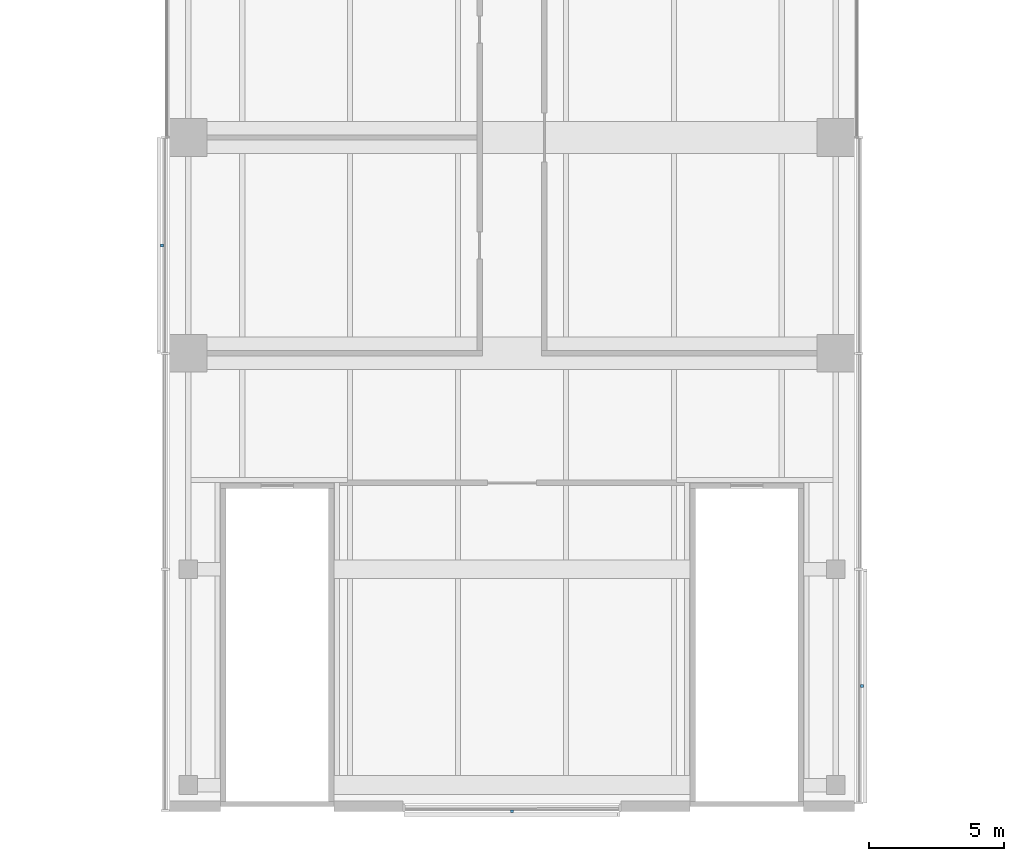
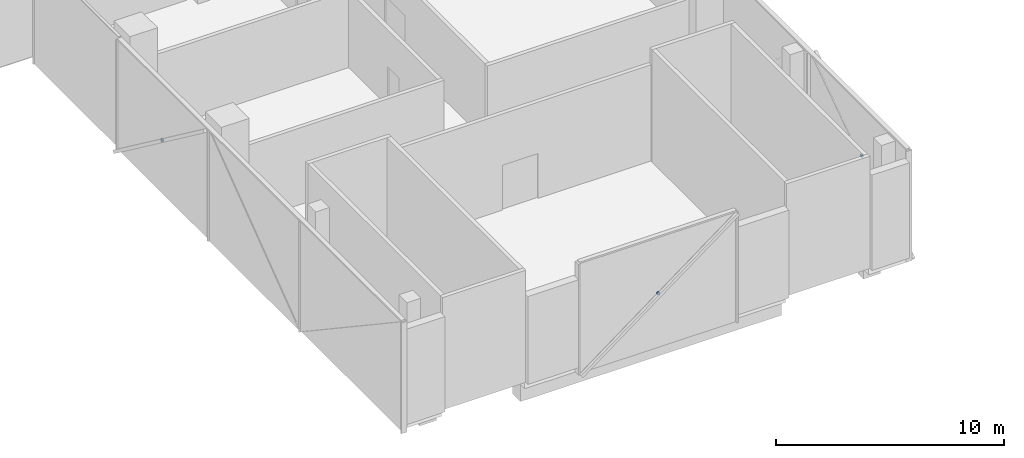
# One storey, part 19 of 23: 3 discrete accessories.
"""IFC4 building model written with IfcOpenShell, lengths in metres."""

from ifc_helpers import new_model, si_unit, direction, frame, origin, origin_2d, place, context, subcontext, project, spatial, rectangle, extrude, material, type_object, element, save


model = new_model("IFC4")

# Units and contexts
model_context = context("Model", 3, precision=1e-05, world=origin(), true_north=direction((0.0, 1.0)))
body_context = subcontext(model_context, "Body", "Model", "MODEL_VIEW")
ifc_project = project(units=[si_unit("LENGTHUNIT", "METRE"), si_unit("AREAUNIT", "SQUARE_METRE"), si_unit("VOLUMEUNIT", "CUBIC_METRE"), si_unit("PLANEANGLEUNIT", "RADIAN"), si_unit("MASSUNIT", "GRAM", prefix="KILO")], contexts=[model_context])

# Site, building, storey
site_placement = place(None, origin())
site = spatial("IfcSite", under=ifc_project, at=site_placement, CompositionType="ELEMENT")
building_placement = place(site_placement, origin())
building = spatial("IfcBuilding", under=site, at=building_placement, Name="Crosswind Convention Tower", CompositionType="ELEMENT")
storey_placement = place(building_placement, frame((0.0, 0.0, 41.5)))
storey = spatial("IfcBuildingStorey", under=building, at=storey_placement, Name="L05", CompositionType="ELEMENT", Elevation=41.5)

# Discrete accessories
ifc_material = material(Name="Stainless steel", Category="steel")
discrete_accessory_type = type_object("IfcDiscreteAccessoryType", Name="BAGUETTE BRACKET BK1", PredefinedType="BRACKET", material=ifc_material)
for number, where, z_axis, x_axis, name in (
    (1, (112.02587890625, 76.0, 2.5), (0.0, 0.0, 1.0), (0.0, -1.0, 0.0), "BK1 baguette bracket"),
    (2, (125.0, 55.02587890625, 2.5), (0.0, 0.0, 1.0), (1.0, 0.0, 0.0), "BK1 baguette bracket"),
    (3, (137.97412109375, 59.669921875, 2.5), (0.0, 0.0, 1.0), (0.0, 1.0, 0.0), "BK1 baguette bracket"),
):
    element("IfcDiscreteAccessory", number, at=place(storey_placement, frame(where, z_axis=z_axis, x_axis=x_axis)), inside=storey, type_object=discrete_accessory_type, Name=name, PredefinedType="BRACKET", context=body_context, shape_type="SweptSolid", body=[
        extrude(rectangle(XDim=0.1201171875, YDim=0.10009765625, at=origin_2d()), origin(), (0.0, 0.0, 1.0), 0.1201171875),
    ])

save(model, "model.ifc")
